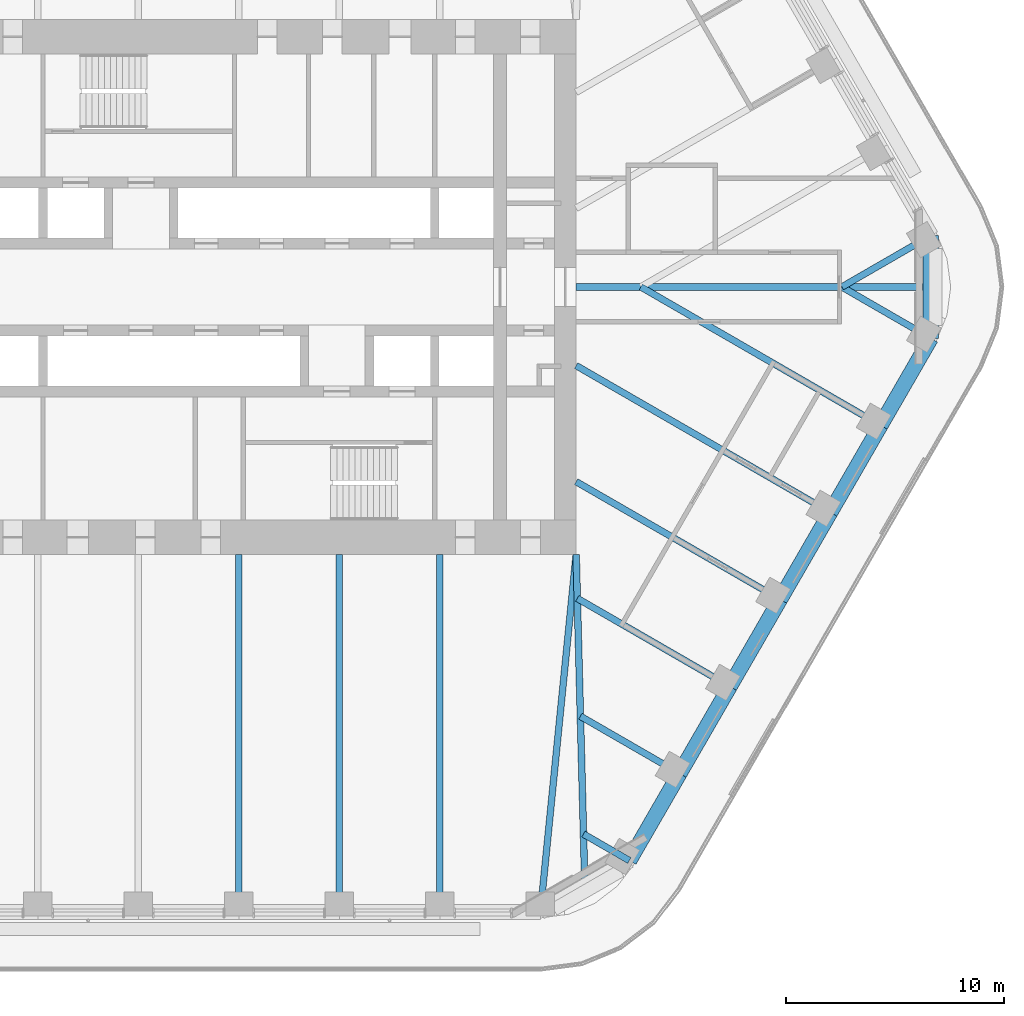
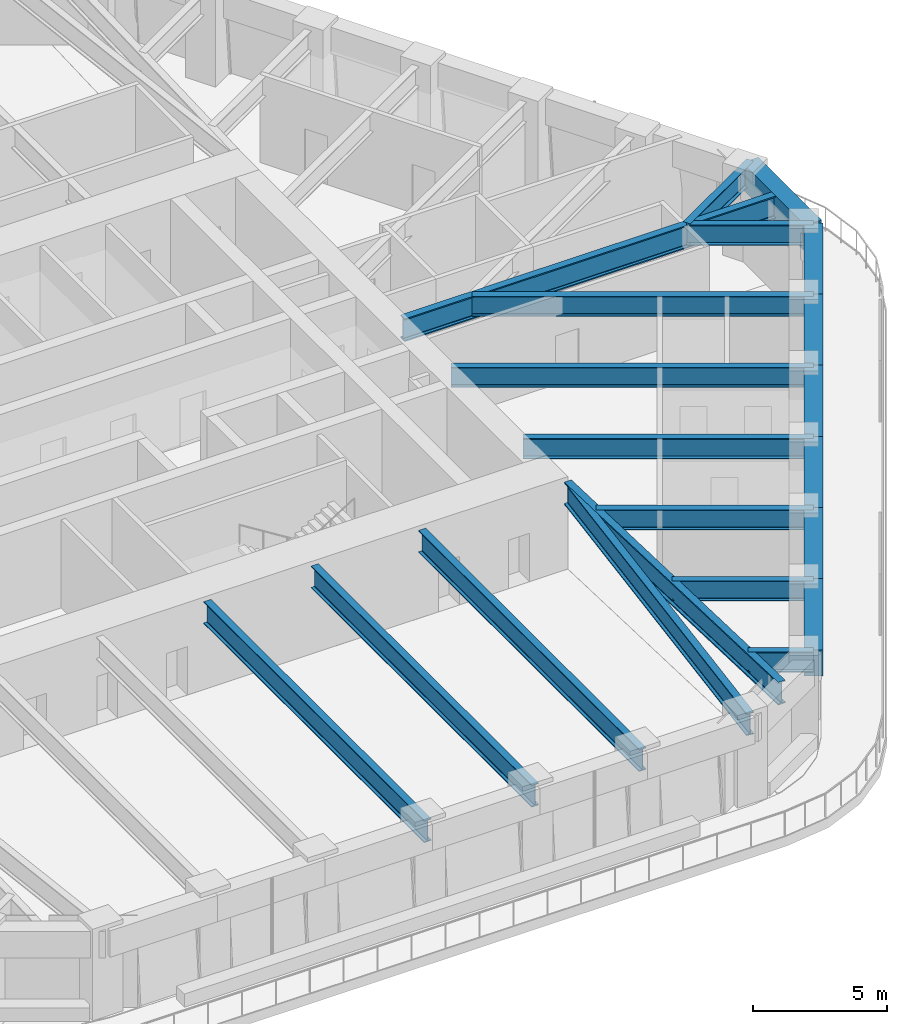
# One storey, part 5 of 20: 21 beams.
"""IFC4 building model written with IfcOpenShell, lengths in metres."""

import ifcopenshell
import ifcopenshell.guid

model = None  # the IFC model being written
_history = None  # IfcOwnerHistory: only IFC2X3 demands one
_inside = {}  # id of a spatial element -> (the spatial element, [elements in it])
_under = {}  # id of a project, library or spatial element -> (it, [spatial elements below it])
_declared = {}  # id of a project -> (the project, [libraries it declares])
_typed = {}  # id of a type object -> (the type object, [elements of that type])
_made_of = {}  # id of a material, layer set ... -> (it, [elements and type objects made of it])


def new_model(schema):
    """Start an empty IFC model of exactly this schema.

    Asked for "IFC4X3", IfcOpenShell would pick the latest addendum, in which some entities
    have other attributes; the version numbers below select the first issue.
    IFC2X3 requires an IfcOwnerHistory on every rooted entity: one is made here for all.
    """
    global model, _history
    if schema == "IFC4X3":
        model = ifcopenshell.file(schema_version=(4, 3, 0, 0))
    else:
        model = ifcopenshell.file(schema=schema)
    _inside.clear()
    _under.clear()
    _declared.clear()
    _typed.clear()
    _made_of.clear()
    _history = None
    if model.schema == "IFC2X3":
        org = make("IfcOrganization", Name="unknown")
        user = make(
            "IfcPersonAndOrganization",
            ThePerson=make("IfcPerson", FamilyName="unknown"),
            TheOrganization=org,
        )
        app = make(
            "IfcApplication",
            ApplicationDeveloper=org,
            Version="unknown",
            ApplicationFullName="unknown",
            ApplicationIdentifier="unknown",
        )
        _history = make(
            "IfcOwnerHistory",
            OwningUser=user,
            OwningApplication=app,
            ChangeAction="ADDED",
            CreationDate=0,
        )
    return model


def make(cls, **values):
    """One entity of the class cls with the attributes given. An attribute that is None is left unset."""
    return model.create_entity(
        cls, **{name: value for name, value in values.items() if value is not None}
    )


def rooted(cls, **values):
    """An entity with a GlobalId (a new one), such as an element, a storey or a relation."""
    return make(cls, GlobalId=ifcopenshell.guid.new(), OwnerHistory=_history, **values)


def si_unit(unit_type, name, prefix=None):
    """IfcSIUnit, for example si_unit("LENGTHUNIT", "METRE", prefix="MILLI")."""
    return make("IfcSIUnit", UnitType=unit_type, Prefix=prefix, Name=name)


def assignment(units):
    """IfcUnitAssignment: the units of a project."""
    return None if units is None else make("IfcUnitAssignment", Units=units)


def point(xyz):
    """IfcCartesianPoint."""
    return None if xyz is None else make("IfcCartesianPoint", Coordinates=xyz)


def direction(xyz):
    """IfcDirection."""
    return None if xyz is None else make("IfcDirection", DirectionRatios=xyz)


def frame(location, z_axis=None, x_axis=None):
    """IfcAxis2Placement3D, a coordinate frame: its origin and axes. An axis left out is left unset."""
    return make(
        "IfcAxis2Placement3D",
        Location=point(location),
        Axis=direction(z_axis),
        RefDirection=direction(x_axis),
    )


def frame_2d(location, x_axis=None):
    """IfcAxis2Placement2D, a coordinate frame in the plane: its origin and x axis."""
    return make(
        "IfcAxis2Placement2D", Location=point(location), RefDirection=direction(x_axis)
    )


def origin():
    """The frame at (0, 0, 0) with its axes left unset."""
    return frame((0.0, 0.0, 0.0))


def origin_2d():
    """The frame at (0, 0) in the plane with its x axis left unset."""
    return frame_2d((0.0, 0.0))


def place(relative_to, where):
    """IfcLocalPlacement: puts the frame where relative to a parent placement (None: the world)."""
    return make(
        "IfcLocalPlacement", PlacementRelTo=relative_to, RelativePlacement=where
    )


def context(
    kind, dimensions, precision=None, world=None, true_north=None, identifier=None
):
    """IfcGeometricRepresentationContext, for example the 3D "Model" context."""
    return make(
        "IfcGeometricRepresentationContext",
        ContextIdentifier=identifier,
        ContextType=kind,
        CoordinateSpaceDimension=dimensions,
        Precision=precision,
        WorldCoordinateSystem=world,
        TrueNorth=true_north,
    )


def subcontext(parent, identifier, kind, view, scale=None):
    """IfcGeometricRepresentationSubContext, for example "Body" below "Model"."""
    return make(
        "IfcGeometricRepresentationSubContext",
        ContextIdentifier=identifier,
        ContextType=kind,
        ParentContext=parent,
        TargetScale=scale,
        TargetView=view,
    )


def project(units=None, contexts=None):
    """IfcProject with its units and contexts."""
    return rooted(
        "IfcProject",
        Name="project",
        RepresentationContexts=contexts,
        UnitsInContext=assignment(units),
    )


def spatial(cls, under=None, at=None, **own):
    """A site, building, storey or space (cls), placed at a placement, below another one or the project."""
    s = rooted(cls, ObjectPlacement=at, **own)
    if under is not None:
        _under.setdefault(under.id(), (under, []))[1].append(s)
    return s


def profile(cls, at=None, kind="AREA", **sizes):
    """A parametric profile (cls). Its sizes go by their IFC names, for example OverallWidth=200.0."""
    return make(cls, ProfileType=kind, Position=at, **sizes)


def rectangle(**sizes):
    """IfcRectangleProfileDef."""
    return profile("IfcRectangleProfileDef", **sizes)


def i_section(**sizes):
    """IfcIShapeProfileDef."""
    return profile("IfcIShapeProfileDef", **sizes)


def extrude(swept, where, along, depth):
    """IfcExtrudedAreaSolid: the profile swept, set in the frame where, extruded along a direction by depth."""
    return make(
        "IfcExtrudedAreaSolid",
        SweptArea=swept,
        Position=where,
        ExtrudedDirection=direction(along),
        Depth=depth,
    )


def shape(context_of_items, identifier, shape_type, items):
    """IfcShapeRepresentation: the items that make up one representation, for example the "Body"."""
    return make(
        "IfcShapeRepresentation",
        ContextOfItems=context_of_items,
        RepresentationIdentifier=identifier,
        RepresentationType=shape_type,
        Items=items,
    )


def material(Name=None, Category=None):
    """IfcMaterial."""
    return make("IfcMaterial", Name=Name, Category=Category)


def material_profile(
    of_material, cross_section, Name=None, Category=None, Priority=None
):
    """IfcMaterialProfile: a cross section and its material."""
    return make(
        "IfcMaterialProfile",
        Name=Name,
        Material=of_material,
        Profile=cross_section,
        Priority=Priority,
        Category=Category,
    )


def profile_set(profiles, Name=None, composite=None):
    """IfcMaterialProfileSet."""
    return make(
        "IfcMaterialProfileSet",
        Name=Name,
        MaterialProfiles=profiles,
        CompositeProfile=composite,
    )


def made_of(thing, what):
    """Note that an element or type object is made of a material, layer set ...; save() writes the relation."""
    if what is not None:
        _made_of.setdefault(what.id(), (what, []))[1].append(thing)
    return thing


def type_object(cls, material=None, **own):
    """A type object (cls), such as IfcWallType, which elements share."""
    return made_of(rooted(cls, **own), material)


def element(
    cls,
    number,
    at=None,
    inside=None,
    cuts=None,
    type_object=None,
    material=None,
    context=None,
    identifier="Body",
    shape_type=None,
    held_by="IfcProductDefinitionShape",
    body=None,
    shapes=None,
    **own,
):
    """One element of the class cls, such as IfcWall. Its Tag is "e" and its number.

    at: its placement. inside: the storey or other place that contains it. cuts: it is an
    opening in that element (IfcRelVoidsElement). A single representation is given by context,
    identifier, shape_type and body (its items); several are given by shapes. held_by: the class
    of the entity that holds the representations. save() writes the other relations.
    """
    e = rooted(cls, Tag="e%d" % number, ObjectPlacement=at, **own)
    if body is not None:
        shapes = [shape(context, identifier, shape_type, body)]
    if shapes is not None:
        e.Representation = make(held_by, Representations=shapes)
    if inside is not None:
        _inside.setdefault(inside.id(), (inside, []))[1].append(e)
    if cuts is not None:
        rooted(
            "IfcRelVoidsElement", RelatingBuildingElement=cuts, RelatedOpeningElement=e
        )
    if type_object is not None:
        _typed.setdefault(type_object.id(), (type_object, []))[1].append(e)
    return made_of(e, material)


def aggregate(whole, parts):
    """IfcRelAggregates: a whole, such as a stair, and the parts it consists of."""
    return rooted("IfcRelAggregates", RelatingObject=whole, RelatedObjects=parts)


def save(model, path):
    """Write the relations noted so far, then the file.

    IfcRelAggregates (storeys below a building ...), IfcRelContainedInSpatialStructure (elements
    in a storey), IfcRelDefinesByType, IfcRelAssociatesMaterial and IfcRelDeclares: one each for
    every whole, place, type object, material and project.
    """
    for whole, parts in _under.values():
        aggregate(whole, parts)
    for where, things in _inside.values():
        rooted(
            "IfcRelContainedInSpatialStructure",
            RelatedElements=things,
            RelatingStructure=where,
        )
    for kind, things in _typed.values():
        rooted("IfcRelDefinesByType", RelatedObjects=things, RelatingType=kind)
    for what, things in _made_of.values():
        rooted("IfcRelAssociatesMaterial", RelatedObjects=things, RelatingMaterial=what)
    for by, libraries in _declared.values():
        rooted("IfcRelDeclares", RelatingContext=by, RelatedDefinitions=libraries)
    model.write(path)


model = new_model("IFC4")

# Units and contexts
model_context = context("Model", 3, precision=1e-05, world=origin(), true_north=direction((0.0, 1.0)))
body_context = subcontext(model_context, "Body", "Model", "MODEL_VIEW")
ifc_project = project(units=[si_unit("LENGTHUNIT", "METRE"), si_unit("AREAUNIT", "SQUARE_METRE"), si_unit("VOLUMEUNIT", "CUBIC_METRE"), si_unit("PLANEANGLEUNIT", "RADIAN"), si_unit("MASSUNIT", "GRAM", prefix="KILO")], contexts=[model_context])

# Site, building, storey
site_placement = place(None, origin())
site = spatial("IfcSite", under=ifc_project, at=site_placement, CompositionType="ELEMENT")
building_placement = place(site_placement, origin())
building = spatial("IfcBuilding", under=site, at=building_placement, Name="Tarfa Lantern Tower", CompositionType="ELEMENT")
storey_placement = place(building_placement, frame((0.0, 0.0, 249.10009765625)))
storey = spatial("IfcBuildingStorey", under=building, at=storey_placement, Name="L56", CompositionType="ELEMENT", Elevation=249.10009765625)

# Beams
ifc_material_1 = material(Name="Concrete C80/95", Category="concrete")
ifc_material_profile_1 = material_profile(ifc_material_1, rectangle(XDim=0.699951171875, YDim=1.199951171875, at=origin_2d()), Name="RC 700x1200")
ifc_profile_set_1 = profile_set([ifc_material_profile_1], Name="Concrete C80/95")
beam_type_1 = type_object("IfcBeamType", Name="EB3 RC 700x1200", PredefinedType="SPANDREL", material=ifc_profile_set_1)
for number, where, z_axis, x_axis, name in (
    (1, (17.944091796875, -26.360107421875, 3.39990234375), (0.499987836815, 0.866032426089, 0.0), (-0.866032426089, 0.499987836815, 0.0), "Edge beam SE0"),
    (2, (20.25341796875, -22.360107421875, 3.39990234375), (0.499987836815, 0.866032426089, 0.0), (-0.866032426089, 0.499987836815, 0.0), "Edge beam SE1"),
):
    element("IfcBeam", number, at=place(storey_placement, frame(where, z_axis=z_axis, x_axis=x_axis)), inside=storey, type_object=beam_type_1, Name=name, PredefinedType="SPANDREL", context=body_context, shape_type="SweptSolid", body=[
        extrude(rectangle(XDim=0.699951171875, YDim=1.199951171875, at=origin_2d()), origin(), (0.0, 0.0, 1.0), 4.61865234375),
    ])
beam_1_placement = place(storey_placement, frame((22.562744140625, -18.360107421875, 3.39990234375), z_axis=(0.500027479704, 0.866009537788, 0.0), x_axis=(-0.866009537788, 0.500027479704, 0.0)))
element("IfcBeam", 3, at=beam_1_placement, inside=storey, type_object=beam_type_1, Name="Edge beam SE2", PredefinedType="SPANDREL", context=body_context, shape_type="SweptSolid", body=[
    extrude(rectangle(XDim=0.699951171875, YDim=1.199951171875, at=origin_2d()), origin(), (0.0, 0.0, 1.0), 4.618896484375),
])
for number, where, z_axis, x_axis, name in (
    (4, (24.872314453125, -14.360107421875, 3.39990234375), (0.499987836815, 0.866032426089, 0.0), (-0.866032426089, 0.499987836815, 0.0), "Edge beam SE3"),
    (5, (27.181640625, -10.360107421875, 3.39990234375), (0.499987836815, 0.866032426089, 0.0), (-0.866032426089, 0.499987836815, 0.0), "Edge beam SE4"),
):
    element("IfcBeam", number, at=place(storey_placement, frame(where, z_axis=z_axis, x_axis=x_axis)), inside=storey, type_object=beam_type_1, Name=name, PredefinedType="SPANDREL", context=body_context, shape_type="SweptSolid", body=[
        extrude(rectangle(XDim=0.699951171875, YDim=1.199951171875, at=origin_2d()), origin(), (0.0, 0.0, 1.0), 4.61865234375),
    ])
beam_2_placement = place(storey_placement, frame((29.490966796875, -6.360107421875, 3.39990234375), z_axis=(0.500027479704, 0.866009537788, 0.0), x_axis=(-0.866009537788, 0.500027479704, 0.0)))
element("IfcBeam", 6, at=beam_2_placement, inside=storey, type_object=beam_type_1, Name="Edge beam SE5", PredefinedType="SPANDREL", context=body_context, shape_type="SweptSolid", body=[
    extrude(rectangle(XDim=0.699951171875, YDim=1.199951171875, at=origin_2d()), origin(), (0.0, 0.0, 1.0), 4.618896484375),
])
beam_3_placement = place(storey_placement, frame((31.800537109375, -2.360107421875, 3.39990234375), z_axis=(0.0, 1.0, 0.0), x_axis=(-1.0, 0.0, 0.0)))
element("IfcBeam", 7, at=beam_3_placement, inside=storey, type_object=beam_type_1, Name="Edge beam SE6", PredefinedType="SPANDREL", context=body_context, shape_type="SweptSolid", body=[
    extrude(rectangle(XDim=0.699951171875, YDim=1.199951171875, at=origin_2d()), origin(), (0.0, 0.0, 1.0), 4.72021484375),
])
ifc_material_2 = material(Name="Steel S460M", Category="steel")
ifc_material_profile_2 = material_profile(ifc_material_2, i_section(OverallWidth=0.302001953125, OverallDepth=1.008056640625, WebThickness=0.02099609375, FlangeThickness=0.0400390625, FilletRadius=0.030029296875, at=origin_2d()), Name="UB1016x305x349")
ifc_profile_set_2 = profile_set([ifc_material_profile_2], Name="Steel S460M")
beam_type_2 = type_object("IfcBeamType", Name="UB1016x305x349", PredefinedType="BEAM", material=ifc_profile_set_2)
for number, where, z_axis, x_axis, name in (
    (8, (0.0, -28.719970703125, 3.495849609375), (0.0, 1.0, 0.0), (-1.0, 0.0, 0.0), "Floor beam S3"),
    (9, (4.618896484375, -28.719970703125, 3.495849609375), (0.0, 1.0, 0.0), (-1.0, 0.0, 0.0), "Floor beam S4"),
    (10, (9.237548828125, -28.719970703125, 3.495849609375), (0.0, 1.0, 0.0), (-1.0, 0.0, 0.0), "Floor beam S5"),
):
    element("IfcBeam", number, at=place(storey_placement, frame(where, z_axis=z_axis, x_axis=x_axis)), inside=storey, type_object=beam_type_2, Name=name, PredefinedType="BEAM", context=body_context, shape_type="SweptSolid", body=[
        extrude(i_section(OverallWidth=0.302001953125, OverallDepth=1.008056640625, WebThickness=0.02099609375, FlangeThickness=0.0400390625, FilletRadius=0.030029296875, at=origin_2d()), origin(), (0.0, 0.0, 1.0), 16.419921875),
    ])
beam_4_placement = place(storey_placement, frame((13.8564453125, -28.719970703125, 3.495849609375), z_axis=(0.099597466746, 0.995027810977, 0.0), x_axis=(-0.995027810977, 0.099597466746, 0.0)))
element("IfcBeam", 11, at=beam_4_placement, inside=storey, type_object=beam_type_2, Name="Floor beam S6", PredefinedType="BEAM", context=body_context, shape_type="SweptSolid", body=[
    extrude(i_section(OverallWidth=0.302001953125, OverallDepth=1.008056640625, WebThickness=0.02099609375, FlangeThickness=0.0400390625, FilletRadius=0.030029296875, at=origin_2d()), origin(), (0.0, 0.0, 1.0), 16.501953125),
])
ifc_material_profile_3 = material_profile(ifc_material_2, i_section(OverallWidth=0.30859375, OverallDepth=1.036376953125, WebThickness=0.030029296875, FlangeThickness=0.05419921875, FilletRadius=0.030029296875, at=origin_2d()), Name="UB1016x305x487")
ifc_profile_set_3 = profile_set([ifc_material_profile_3], Name="Steel S460M")
beam_type_3 = type_object("IfcBeamType", Name="UB1016x305x487", PredefinedType="BEAM", material=ifc_profile_set_3)
beam_5_placement = place(storey_placement, frame((15.5, 0.0, 3.481689453125), z_axis=(1.0, 0.0, 0.0), x_axis=(0.0, 1.0, 0.0)))
element("IfcBeam", 12, at=beam_5_placement, inside=storey, type_object=beam_type_3, Name="Hip girder E", PredefinedType="BEAM", context=body_context, shape_type="SweptSolid", body=[
    extrude(i_section(OverallWidth=0.30859375, OverallDepth=1.036376953125, WebThickness=0.030029296875, FlangeThickness=0.05419921875, FilletRadius=0.030029296875, at=origin_2d()), origin(), (0.0, 0.0, 1.0), 16.300537109375),
])
beam_6_placement = place(storey_placement, frame((15.5, -12.300048828125, 3.481689453125), z_axis=(0.026247301989, -0.999655480222, 0.0), x_axis=(0.999655480222, 0.026247301989, 0.0)))
element("IfcBeam", 13, at=beam_6_placement, inside=storey, type_object=beam_type_3, Name="Hip girder SE", PredefinedType="BEAM", context=body_context, shape_type="SweptSolid", body=[
    extrude(i_section(OverallWidth=0.30859375, OverallDepth=1.036376953125, WebThickness=0.030029296875, FlangeThickness=0.05419921875, FilletRadius=0.030029296875, at=origin_2d()), origin(), (0.0, 0.0, 1.0), 15.245361328125),
])
ifc_material_profile_4 = material_profile(ifc_material_2, i_section(OverallWidth=0.305419921875, OverallDepth=0.91845703125, WebThickness=0.017333984375, FlangeThickness=0.02783203125, FilletRadius=0.01904296875, at=origin_2d()), Name="UB914x305x253")
ifc_profile_set_4 = profile_set([ifc_material_profile_4], Name="Steel S460M")
beam_type_4 = type_object("IfcBeamType", Name="UB914x305x253", PredefinedType="BEAM", material=ifc_profile_set_4)
beam_7_placement = place(storey_placement, frame((31.800537109375, 2.360107421875, 3.540771484375), z_axis=(-0.866015897305, -0.500016465344, 0.0), x_axis=(0.500016465344, -0.866015897305, 0.0)))
element("IfcBeam", 14, at=beam_7_placement, inside=storey, type_object=beam_type_4, Name="Floor beam NE0", PredefinedType="BEAM", context=body_context, shape_type="SweptSolid", body=[
    extrude(i_section(OverallWidth=0.305419921875, OverallDepth=0.91845703125, WebThickness=0.017333984375, FlangeThickness=0.02783203125, FilletRadius=0.01904296875, at=origin_2d()), origin(), (0.0, 0.0, 1.0), 4.719970703125),
])
beam_8_placement = place(storey_placement, frame((17.944091796875, -26.360107421875, 3.540771484375), z_axis=(-0.865980009423, 0.5000786171, 0.0), x_axis=(-0.5000786171, -0.865980009423, 0.0)))
element("IfcBeam", 15, at=beam_8_placement, inside=storey, type_object=beam_type_4, Name="Floor beam SE0", PredefinedType="BEAM", context=body_context, shape_type="SweptSolid", body=[
    extrude(i_section(OverallWidth=0.305419921875, OverallDepth=0.91845703125, WebThickness=0.017333984375, FlangeThickness=0.02783203125, FilletRadius=0.01904296875, at=origin_2d()), origin(), (0.0, 0.0, 1.0), 2.4326171875),
])
beam_9_placement = place(storey_placement, frame((20.25341796875, -22.360107421875, 3.540771484375), z_axis=(-0.86601951648, 0.500010196972, 0.0), x_axis=(-0.500010196972, -0.86601951648, 0.0)))
element("IfcBeam", 16, at=beam_9_placement, inside=storey, type_object=beam_type_4, Name="Floor beam SE1", PredefinedType="BEAM", context=body_context, shape_type="SweptSolid", body=[
    extrude(i_section(OverallWidth=0.305419921875, OverallDepth=0.91845703125, WebThickness=0.017333984375, FlangeThickness=0.02783203125, FilletRadius=0.01904296875, at=origin_2d()), origin(), (0.0, 0.0, 1.0), 5.263671875),
])
beam_10_placement = place(storey_placement, frame((22.562744140625, -18.360107421875, 3.540771484375), z_axis=(-0.866010787764, 0.500025314835, 0.0), x_axis=(-0.500025314835, -0.866010787764, 0.0)))
element("IfcBeam", 17, at=beam_10_placement, inside=storey, type_object=beam_type_4, Name="Floor beam SE2", PredefinedType="BEAM", context=body_context, shape_type="SweptSolid", body=[
    extrude(i_section(OverallWidth=0.305419921875, OverallDepth=0.91845703125, WebThickness=0.017333984375, FlangeThickness=0.02783203125, FilletRadius=0.01904296875, at=origin_2d()), origin(), (0.0, 0.0, 1.0), 8.09423828125),
])
beam_11_placement = place(storey_placement, frame((24.872314453125, -14.360107421875, 3.540771484375), z_axis=(-0.8660244219, 0.500001700669, 0.0), x_axis=(-0.500001700669, -0.8660244219, 0.0)))
element("IfcBeam", 18, at=beam_11_placement, inside=storey, type_object=beam_type_4, Name="Floor beam SE3", PredefinedType="BEAM", context=body_context, shape_type="SweptSolid", body=[
    extrude(i_section(OverallWidth=0.305419921875, OverallDepth=0.91845703125, WebThickness=0.017333984375, FlangeThickness=0.02783203125, FilletRadius=0.01904296875, at=origin_2d()), origin(), (0.0, 0.0, 1.0), 10.822265625),
])
beam_12_placement = place(storey_placement, frame((27.181640625, -10.360107421875, 3.540771484375), z_axis=(-0.866018002818, 0.500012818631, 0.0), x_axis=(-0.500012818631, -0.866018002818, 0.0)))
element("IfcBeam", 19, at=beam_12_placement, inside=storey, type_object=beam_type_4, Name="Floor beam SE4", PredefinedType="BEAM", context=body_context, shape_type="SweptSolid", body=[
    extrude(i_section(OverallWidth=0.305419921875, OverallDepth=0.91845703125, WebThickness=0.017333984375, FlangeThickness=0.02783203125, FilletRadius=0.01904296875, at=origin_2d()), origin(), (0.0, 0.0, 1.0), 13.489013671875),
])
beam_13_placement = place(storey_placement, frame((29.490966796875, -6.360107421875, 3.540771484375), z_axis=(-0.866022258038, 0.500005448553, 0.0), x_axis=(-0.500005448553, -0.866022258038, 0.0)))
element("IfcBeam", 20, at=beam_13_placement, inside=storey, type_object=beam_type_4, Name="Floor beam SE5", PredefinedType="BEAM", context=body_context, shape_type="SweptSolid", body=[
    extrude(i_section(OverallWidth=0.305419921875, OverallDepth=0.91845703125, WebThickness=0.017333984375, FlangeThickness=0.02783203125, FilletRadius=0.01904296875, at=origin_2d()), origin(), (0.0, 0.0, 1.0), 12.719970703125),
])
beam_14_placement = place(storey_placement, frame((31.800537109375, -2.360107421875, 3.540771484375), z_axis=(-0.866015897305, 0.500016465344, 0.0), x_axis=(-0.500016465344, -0.866015897305, 0.0)))
element("IfcBeam", 21, at=beam_14_placement, inside=storey, type_object=beam_type_4, Name="Floor beam SE6", PredefinedType="BEAM", context=body_context, shape_type="SweptSolid", body=[
    extrude(i_section(OverallWidth=0.305419921875, OverallDepth=0.91845703125, WebThickness=0.017333984375, FlangeThickness=0.02783203125, FilletRadius=0.01904296875, at=origin_2d()), origin(), (0.0, 0.0, 1.0), 4.719970703125),
])

save(model, "model.ifc")
